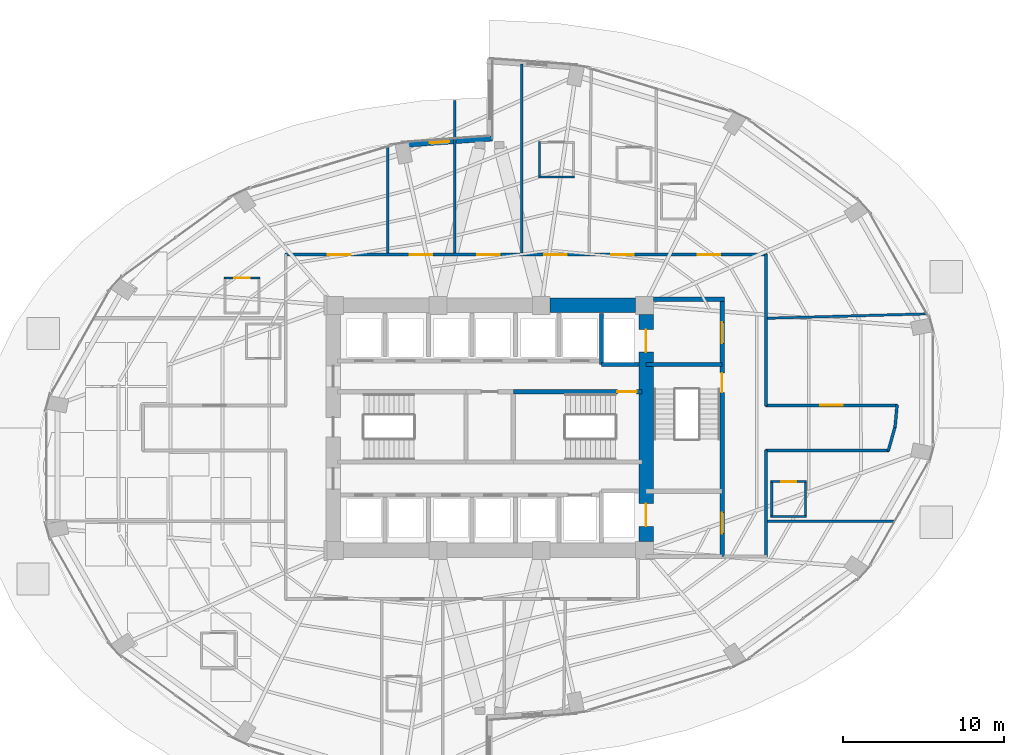
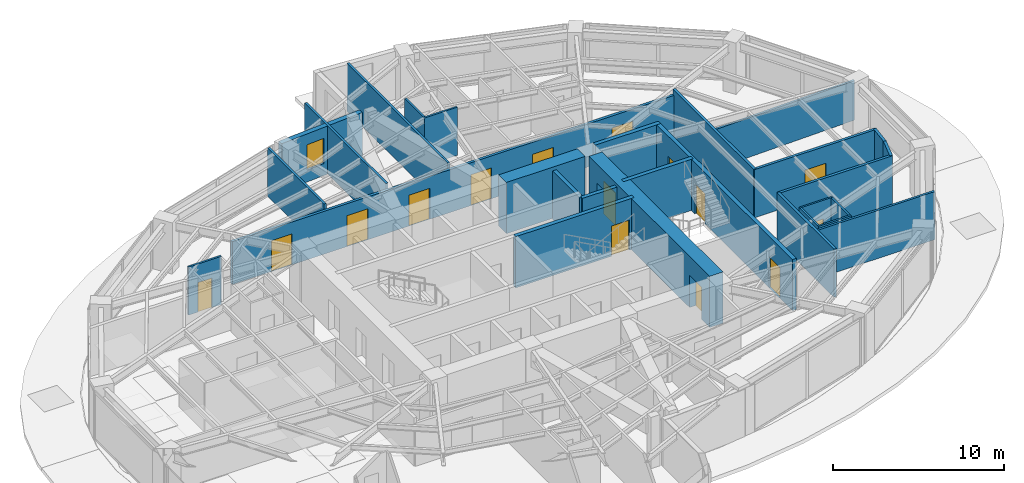
# One storey, part 22 of 25: 28 walls, 15 doors, 1 window, 16 openings.
"""IFC4 building model written with IfcOpenShell, lengths in metres."""

from ifc_helpers import new_model, si_unit, direction, frame, frame_2d, origin, place, context, subcontext, project, spatial, rectangle, extrude, material, layer, layer_set, type_object, element, fill, save


model = new_model("IFC4")

# Units and contexts
model_context = context("Model", 3, precision=1e-05, world=origin(), true_north=direction((0.0, 1.0)))
body_context = subcontext(model_context, "Body", "Model", "MODEL_VIEW")
ifc_project = project(units=[si_unit("LENGTHUNIT", "METRE"), si_unit("AREAUNIT", "SQUARE_METRE"), si_unit("VOLUMEUNIT", "CUBIC_METRE"), si_unit("PLANEANGLEUNIT", "RADIAN"), si_unit("MASSUNIT", "GRAM", prefix="KILO")], contexts=[model_context])

# Site, building, storey
site_placement = place(None, origin())
site = spatial("IfcSite", under=ifc_project, at=site_placement, CompositionType="ELEMENT")
building_placement = place(site_placement, origin())
building = spatial("IfcBuilding", under=site, at=building_placement, Name="Lazwardi Medical Tower", CompositionType="ELEMENT")
storey_placement = place(building_placement, frame((0.0, 0.0, 25.199951171875)))
storey = spatial("IfcBuildingStorey", under=building, at=storey_placement, Name="L05", CompositionType="ELEMENT", Elevation=25.199951171875)

# Wall, openings, doors
ifc_material_1 = material(Name="Fire-rated gypsum board on steel stud", Category="steel")
ifc_layer_1 = layer(ifc_material_1, 0.179931640625)
ifc_layer_set_1 = layer_set([ifc_layer_1], Name="Fire-rated gypsum board on steel stud")
wall_type_1 = type_object("IfcWallType", Name="WL-COR-180", PredefinedType="PARTITIONING", material=ifc_layer_set_1)
wall_1_placement = place(storey_placement, frame((23.31005859375, 38.75, 0.0), z_axis=(0.0, 0.0, 1.0), x_axis=(1.0, 0.0, 0.0)))
wall_1 = element("IfcWall", 1, at=wall_1_placement, inside=storey, type_object=wall_type_1, Name="L05 Corridor partition 4", PredefinedType="PARTITIONING", context=body_context, shape_type="SweptSolid", body=[
    extrude(rectangle(XDim=29.8798828125, YDim=0.179931640625, at=frame_2d((14.93994140625, 0.0))), origin(), (0.0, 0.0, 1.0), 3.052978515625),
])
opening_1_placement = place(wall_1_placement, frame((25.591064453125, 0.0, 0.0)))
opening_1 = element("IfcOpeningElement", 2, at=opening_1_placement, cuts=wall_1, Name="Opening D-L05-020", PredefinedType="OPENING", context=body_context, shape_type="SweptSolid", body=[
    extrude(rectangle(XDim=1.39990234375, YDim=2.199951171875, at=frame_2d((0.699951171875, 1.10009765625))), frame((0.0, 0.099853515625, 0.0), z_axis=(0.0, -1.0, 0.0), x_axis=(1.0, 0.0, 0.0)), (0.0, 0.0, 1.0), 0.199951171875),
])
opening_2_placement = place(wall_1_placement, frame((20.240478515625, 0.0, 0.0)))
opening_2 = element("IfcOpeningElement", 3, at=opening_2_placement, cuts=wall_1, Name="Opening D-L05-021", PredefinedType="OPENING", context=body_context, shape_type="SweptSolid", body=[
    extrude(rectangle(XDim=1.39990234375, YDim=2.199951171875, at=frame_2d((0.699951171875, 1.10009765625))), frame((0.0, 0.099853515625, 0.0), z_axis=(0.0, -1.0, 0.0), x_axis=(1.0, 0.0, 0.0)), (0.0, 0.0, 1.0), 0.199951171875),
])
opening_3_placement = place(wall_1_placement, frame((16.075439453125, 0.0, 0.0)))
opening_3 = element("IfcOpeningElement", 4, at=opening_3_placement, cuts=wall_1, Name="Opening D-L05-022", PredefinedType="OPENING", context=body_context, shape_type="SweptSolid", body=[
    extrude(rectangle(XDim=1.39990234375, YDim=2.199951171875, at=frame_2d((0.699951171875, 1.10009765625))), frame((0.0, 0.099853515625, 0.0), z_axis=(0.0, -1.0, 0.0), x_axis=(1.0, 0.0, 0.0)), (0.0, 0.0, 1.0), 0.199951171875),
])
opening_4_placement = place(wall_1_placement, frame((11.905029296875, 0.0, 0.0)))
opening_4 = element("IfcOpeningElement", 5, at=opening_4_placement, cuts=wall_1, Name="Opening D-L05-023", PredefinedType="OPENING", context=body_context, shape_type="SweptSolid", body=[
    extrude(rectangle(XDim=1.39990234375, YDim=2.199951171875, at=frame_2d((0.699951171875, 1.10009765625))), frame((0.0, 0.099853515625, 0.0), z_axis=(0.0, -1.0, 0.0), x_axis=(1.0, 0.0, 0.0)), (0.0, 0.0, 1.0), 0.199951171875),
])
opening_5_placement = place(wall_1_placement, frame((7.739990234375, 0.0, 0.0)))
opening_5 = element("IfcOpeningElement", 6, at=opening_5_placement, cuts=wall_1, Name="Opening D-L05-024", PredefinedType="OPENING", context=body_context, shape_type="SweptSolid", body=[
    extrude(rectangle(XDim=1.39990234375, YDim=2.199951171875, at=frame_2d((0.699951171875, 1.10009765625))), frame((0.0, 0.099853515625, 0.0), z_axis=(0.0, -1.0, 0.0), x_axis=(1.0, 0.0, 0.0)), (0.0, 0.0, 1.0), 0.199951171875),
])
opening_6_placement = place(wall_1_placement, frame((2.638916015625, 0.0, 0.0)))
opening_6 = element("IfcOpeningElement", 7, at=opening_6_placement, cuts=wall_1, Name="Opening D-L05-025", PredefinedType="OPENING", context=body_context, shape_type="SweptSolid", body=[
    extrude(rectangle(XDim=1.39990234375, YDim=2.199951171875, at=frame_2d((0.699951171875, 1.10009765625))), frame((0.0, 0.099853515625, 0.0), z_axis=(0.0, -1.0, 0.0), x_axis=(1.0, 0.0, 0.0)), (0.0, 0.0, 1.0), 0.199951171875),
])
ifc_material_2 = material(Name="Anti-microbial laminate hospital leaf")
door_type_1 = type_object("IfcDoorType", Name="DR-BED-1400", OperationType="NOTDEFINED", PredefinedType="DOOR", material=ifc_material_2)
door_1_placement = place(opening_1_placement, origin())
door_1 = element("IfcDoor", 8, at=door_1_placement, inside=storey, type_object=door_type_1, Name="L05 Inpatient Ward Door 07", OperationType="SINGLE_SWING_LEFT", OverallHeight=2.199951171875, OverallWidth=1.39990234375, PredefinedType="DOOR", context=body_context, shape_type="SweptSolid", body=[
    extrude(rectangle(XDim=1.39990234375, YDim=2.199951171875, at=frame_2d((0.699951171875, 1.10009765625))), frame((0.0, 0.02490234375, 0.0), z_axis=(0.0, -1.0, 0.0), x_axis=(1.0, 0.0, 0.0)), (0.0, 0.0, 1.0), 0.050048828125),
])
fill(opening_1, door_1)
door_2_placement = place(opening_2_placement, origin())
door_2 = element("IfcDoor", 9, at=door_2_placement, inside=storey, type_object=door_type_1, Name="L05 Inpatient Ward Door 08", OperationType="SINGLE_SWING_LEFT", OverallHeight=2.199951171875, OverallWidth=1.39990234375, PredefinedType="DOOR", context=body_context, shape_type="SweptSolid", body=[
    extrude(rectangle(XDim=1.39990234375, YDim=2.199951171875, at=frame_2d((0.699951171875, 1.10009765625))), frame((0.0, 0.02490234375, 0.0), z_axis=(0.0, -1.0, 0.0), x_axis=(1.0, 0.0, 0.0)), (0.0, 0.0, 1.0), 0.050048828125),
])
fill(opening_2, door_2)
door_3_placement = place(opening_3_placement, origin())
door_3 = element("IfcDoor", 10, at=door_3_placement, inside=storey, type_object=door_type_1, Name="L05 Inpatient Ward Door 09", OperationType="SINGLE_SWING_LEFT", OverallHeight=2.199951171875, OverallWidth=1.39990234375, PredefinedType="DOOR", context=body_context, shape_type="SweptSolid", body=[
    extrude(rectangle(XDim=1.39990234375, YDim=2.199951171875, at=frame_2d((0.699951171875, 1.10009765625))), frame((0.0, 0.02490234375, 0.0), z_axis=(0.0, -1.0, 0.0), x_axis=(1.0, 0.0, 0.0)), (0.0, 0.0, 1.0), 0.050048828125),
])
fill(opening_3, door_3)
door_4_placement = place(opening_4_placement, origin())
door_4 = element("IfcDoor", 11, at=door_4_placement, inside=storey, type_object=door_type_1, Name="L05 Inpatient Ward Door 10", OperationType="SINGLE_SWING_RIGHT", OverallHeight=2.199951171875, OverallWidth=1.39990234375, PredefinedType="DOOR", context=body_context, shape_type="SweptSolid", body=[
    extrude(rectangle(XDim=1.39990234375, YDim=2.199951171875, at=frame_2d((0.699951171875, 1.10009765625))), frame((0.0, 0.02490234375, 0.0), z_axis=(0.0, -1.0, 0.0), x_axis=(1.0, 0.0, 0.0)), (0.0, 0.0, 1.0), 0.050048828125),
])
fill(opening_4, door_4)
door_5_placement = place(opening_5_placement, origin())
door_5 = element("IfcDoor", 12, at=door_5_placement, inside=storey, type_object=door_type_1, Name="L05 Inpatient Ward Door 11", OperationType="SINGLE_SWING_LEFT", OverallHeight=2.199951171875, OverallWidth=1.39990234375, PredefinedType="DOOR", context=body_context, shape_type="SweptSolid", body=[
    extrude(rectangle(XDim=1.39990234375, YDim=2.199951171875, at=frame_2d((0.699951171875, 1.10009765625))), frame((0.0, 0.02490234375, 0.0), z_axis=(0.0, -1.0, 0.0), x_axis=(1.0, 0.0, 0.0)), (0.0, 0.0, 1.0), 0.050048828125),
])
fill(opening_5, door_5)
door_6_placement = place(opening_6_placement, origin())
door_6 = element("IfcDoor", 13, at=door_6_placement, inside=storey, type_object=door_type_1, Name="L05 Inpatient Ward Door 12", OperationType="SINGLE_SWING_LEFT", OverallHeight=2.199951171875, OverallWidth=1.39990234375, PredefinedType="DOOR", context=body_context, shape_type="SweptSolid", body=[
    extrude(rectangle(XDim=1.39990234375, YDim=2.199951171875, at=frame_2d((0.699951171875, 1.10009765625))), frame((0.0, 0.02490234375, 0.0), z_axis=(0.0, -1.0, 0.0), x_axis=(1.0, 0.0, 0.0)), (0.0, 0.0, 1.0), 0.050048828125),
])
fill(opening_6, door_6)

# Wall
wall_2_placement = place(storey_placement, frame((53.14990234375, 38.7900390625, 0.0), z_axis=(0.0, 0.0, 1.0), x_axis=(0.0, -1.0, 0.0)))
element("IfcWall", 14, at=wall_2_placement, inside=storey, type_object=wall_type_1, Name="L05 Corridor partition 5", PredefinedType="PARTITIONING", context=body_context, shape_type="SweptSolid", body=[
    extrude(rectangle(XDim=9.429931640625, YDim=0.179931640625, at=frame_2d((4.71484375, 0.0))), origin(), (0.0, 0.0, 1.0), 3.427978515625),
])

# Wall, opening, door
wall_3_placement = place(storey_placement, frame((53.110107421875, 29.39990234375, 0.0), z_axis=(0.0, 0.0, 1.0), x_axis=(1.0, 0.0, 0.0)))
wall_3 = element("IfcWall", 15, at=wall_3_placement, inside=storey, type_object=wall_type_1, Name="L05 Corridor partition 6", PredefinedType="PARTITIONING", context=body_context, shape_type="SweptSolid", body=[
    extrude(rectangle(XDim=8.19677734375, YDim=0.179931640625, at=frame_2d((4.098388671875, 0.0))), origin(), (0.0, 0.0, 1.0), 3.427978515625),
])
opening_7_placement = place(wall_3_placement, frame((3.3984375, 0.0, 0.0)))
opening_7 = element("IfcOpeningElement", 16, at=opening_7_placement, cuts=wall_3, Name="Opening D-L05-019", PredefinedType="OPENING", context=body_context, shape_type="SweptSolid", body=[
    extrude(rectangle(XDim=1.39990234375, YDim=2.199951171875, at=frame_2d((0.699951171875, 1.10009765625))), frame((0.0, 0.099853515625, 0.0), z_axis=(0.0, -1.0, 0.0), x_axis=(1.0, 0.0, 0.0)), (0.0, 0.0, 1.0), 0.199951171875),
])
door_7_placement = place(opening_7_placement, origin())
door_7 = element("IfcDoor", 17, at=door_7_placement, inside=storey, type_object=door_type_1, Name="L05 Inpatient Ward Door 06", OperationType="SINGLE_SWING_LEFT", OverallHeight=2.199951171875, OverallWidth=1.39990234375, PredefinedType="DOOR", context=body_context, shape_type="SweptSolid", body=[
    extrude(rectangle(XDim=1.39990234375, YDim=2.199951171875, at=frame_2d((0.699951171875, 1.10009765625))), frame((0.0, 0.02490234375, 0.0), z_axis=(0.0, -1.0, 0.0), x_axis=(1.0, 0.0, 0.0)), (0.0, 0.0, 1.0), 0.050048828125),
])
fill(opening_7, door_7)

# Walls
wall_4_placement = place(storey_placement, frame((61.2705078125, 29.439697265625, 0.0), z_axis=(0.0, 0.0, 1.0), x_axis=(-0.092539930621, -0.995708974169, 0.0)))
element("IfcWall", 18, at=wall_4_placement, inside=storey, type_object=wall_type_1, Name="L05 Corridor partition 7", PredefinedType="PARTITIONING", context=body_context, shape_type="SweptSolid", body=[
    extrude(rectangle(XDim=1.416748046875, YDim=0.179931640625, at=frame_2d((0.70849609375, 0.0))), origin(), (0.0, 0.0, 1.0), 3.427978515625),
])
wall_5_placement = place(storey_placement, frame((61.15380859375, 28.107421875, 0.0), z_axis=(0.0, 0.0, 1.0), x_axis=(-0.271748942561, -0.962368179138, 0.0)))
element("IfcWall", 19, at=wall_5_placement, inside=storey, type_object=wall_type_1, Name="L05 Corridor partition 8", PredefinedType="PARTITIONING", context=body_context, shape_type="SweptSolid", body=[
    extrude(rectangle(XDim=1.6064453125, YDim=0.179931640625, at=frame_2d((0.80322265625, 0.0))), origin(), (0.0, 0.0, 1.0), 3.427978515625),
])
wall_6_placement = place(storey_placement, frame((60.768310546875, 26.60009765625, 0.0), z_axis=(0.0, 0.0, 1.0), x_axis=(-1.0, 0.0, 0.0)))
element("IfcWall", 20, at=wall_6_placement, inside=storey, type_object=wall_type_1, Name="L05 Corridor partition 9", PredefinedType="PARTITIONING", context=body_context, shape_type="SweptSolid", body=[
    extrude(rectangle(XDim=7.658203125, YDim=0.179931640625, at=frame_2d((3.8291015625, 0.0))), origin(), (0.0, 0.0, 1.0), 3.427978515625),
])
wall_7_placement = place(storey_placement, frame((53.14990234375, 26.639892578125, 0.0), z_axis=(0.0, 0.0, 1.0), x_axis=(0.0, -1.0, 0.0)))
element("IfcWall", 21, at=wall_7_placement, inside=storey, type_object=wall_type_1, Name="L05 Corridor partition 10", PredefinedType="PARTITIONING", context=body_context, shape_type="SweptSolid", body=[
    extrude(rectangle(XDim=6.659912109375, YDim=0.179931640625, at=frame_2d((3.330078125, 0.0))), origin(), (0.0, 0.0, 1.0), 3.427978515625),
])

# Wall, openings, doors
ifc_material_3 = material(Name="Concrete C80/95", Category="concrete")
ifc_layer_2 = layer(ifc_material_3, 0.89990234375)
ifc_layer_set_2 = layer_set([ifc_layer_2], Name="Concrete C80/95")
wall_type_2 = type_object("IfcWallType", Name="WL-CORE-900", PredefinedType="SHEAR", material=ifc_layer_set_2)
wall_8_placement = place(storey_placement, frame((45.699951171875, 20.949951171875, 0.0), z_axis=(0.0, 0.0, 1.0), x_axis=(0.0, 1.0, 0.0)))
wall_8 = element("IfcWall", 22, at=wall_8_placement, inside=storey, type_object=wall_type_2, Name="Core wall CW-S1 east L05", PredefinedType="SHEAR", context=body_context, shape_type="SweptSolid", body=[
    extrude(rectangle(XDim=14.10009765625, YDim=0.89990234375, at=frame_2d((7.050048828125, 0.0))), origin(), (0.0, 0.0, 1.0), 3.64794921875),
])
opening_8_placement = place(wall_8_placement, frame((11.75, 0.0, 0.0)))
opening_8 = element("IfcOpeningElement", 23, at=opening_8_placement, cuts=wall_8, Name="Opening LD-L05-001", PredefinedType="OPENING", context=body_context, shape_type="SweptSolid", body=[
    extrude(rectangle(XDim=1.39990234375, YDim=2.300048828125, at=frame_2d((0.699951171875, 1.14990234375))), frame((0.0, 0.4599609375, 0.0), z_axis=(0.0, -1.0, 0.0), x_axis=(1.0, 0.0, 0.0)), (0.0, 0.0, 1.0), 0.919921875),
])
opening_9_placement = place(wall_8_placement, frame((0.949951171875, 0.0, 0.0)))
opening_9 = element("IfcOpeningElement", 24, at=opening_9_placement, cuts=wall_8, Name="Opening LD-L05-002", PredefinedType="OPENING", context=body_context, shape_type="SweptSolid", body=[
    extrude(rectangle(XDim=1.39990234375, YDim=2.300048828125, at=frame_2d((0.699951171875, 1.14990234375))), frame((0.0, 0.4599609375, 0.0), z_axis=(0.0, -1.0, 0.0), x_axis=(1.0, 0.0, 0.0)), (0.0, 0.0, 1.0), 0.919921875),
])
ifc_material_4 = material(Name="Brushed stainless steel bed-lift landing door", Category="steel")
door_type_2 = type_object("IfcDoorType", Name="DR-LFT-1400", OperationType="NOTDEFINED", PredefinedType="DOOR", material=ifc_material_4)
door_8_placement = place(opening_8_placement, origin())
door_8 = element("IfcDoor", 25, at=door_8_placement, inside=storey, type_object=door_type_2, Name="L05 Lift Landing Door FL-01", OperationType="SLIDING_TO_LEFT", OverallHeight=2.300048828125, OverallWidth=1.39990234375, PredefinedType="DOOR", context=body_context, shape_type="SweptSolid", body=[
    extrude(rectangle(XDim=1.39990234375, YDim=2.300048828125, at=frame_2d((0.699951171875, 1.14990234375))), frame((0.0, 0.02490234375, 0.0), z_axis=(0.0, -1.0, 0.0), x_axis=(1.0, 0.0, 0.0)), (0.0, 0.0, 1.0), 0.050048828125),
])
fill(opening_8, door_8)
door_9_placement = place(opening_9_placement, origin())
door_9 = element("IfcDoor", 26, at=door_9_placement, inside=storey, type_object=door_type_2, Name="L05 Lift Landing Door FL-02", OperationType="SLIDING_TO_LEFT", OverallHeight=2.300048828125, OverallWidth=1.39990234375, PredefinedType="DOOR", context=body_context, shape_type="SweptSolid", body=[
    extrude(rectangle(XDim=1.39990234375, YDim=2.300048828125, at=frame_2d((0.699951171875, 1.14990234375))), frame((0.0, 0.02490234375, 0.0), z_axis=(0.0, -1.0, 0.0), x_axis=(1.0, 0.0, 0.0)), (0.0, 0.0, 1.0), 0.050048828125),
])
fill(opening_9, door_9)

# Wall
wall_9_placement = place(storey_placement, frame((39.75, 35.60009765625, 0.0), z_axis=(0.0, 0.0, 1.0), x_axis=(1.0, 0.0, 0.0)))
element("IfcWall", 27, at=wall_9_placement, inside=storey, type_object=wall_type_2, Name="Core wall CW-S1 N3 L05", PredefinedType="SHEAR", context=body_context, shape_type="SweptSolid", body=[
    extrude(rectangle(XDim=5.300048828125, YDim=0.89990234375, at=frame_2d((2.64990234375, 0.0))), origin(), (0.0, 0.0, 1.0), 3.64794921875),
])

# Wall, opening, door
ifc_material_5 = material(Name="Moisture-resistant gypsum board partition")
ifc_layer_3 = layer(ifc_material_5, 0.125)
ifc_layer_set_3 = layer_set([ifc_layer_3], Name="Moisture-resistant gypsum board partition")
wall_type_3 = type_object("IfcWallType", Name="WL-ENS-125", PredefinedType="PARTITIONING", material=ifc_layer_set_3)
wall_10_placement = place(storey_placement, frame((53.43505859375, 24.6650390625, 0.0), z_axis=(0.0, 0.0, 1.0), x_axis=(1.0, 0.0, 0.0)))
wall_10 = element("IfcWall", 28, at=wall_10_placement, inside=storey, type_object=wall_type_3, Name="L05 En-suite wall 6N", PredefinedType="PARTITIONING", context=body_context, shape_type="SweptSolid", body=[
    extrude(rectangle(XDim=2.219970703125, YDim=0.125, at=frame_2d((1.10986328125, 0.0))), origin(), (0.0, 0.0, 1.0), 3.427978515625),
])
opening_10_placement = place(wall_10_placement, frame((0.635009765625, 0.0, 0.0)))
opening_10 = element("IfcOpeningElement", 29, at=opening_10_placement, cuts=wall_10, Name="Opening D-L05-004", PredefinedType="OPENING", context=body_context, shape_type="SweptSolid", body=[
    extrude(rectangle(XDim=0.949951171875, YDim=2.10009765625, at=frame_2d((0.47509765625, 1.050048828125))), frame((0.0, 0.072509765625, 0.0), z_axis=(0.0, -1.0, 0.0), x_axis=(1.0, 0.0, 0.0)), (0.0, 0.0, 1.0), 0.14501953125),
])
ifc_material_6 = material(Name="Moisture-resistant laminate door leaf")
door_type_3 = type_object("IfcDoorType", Name="DR-ENS-950", OperationType="NOTDEFINED", PredefinedType="DOOR", material=ifc_material_6)
door_10_placement = place(opening_10_placement, origin())
door_10 = element("IfcDoor", 30, at=door_10_placement, inside=storey, type_object=door_type_3, Name="L05 En-suite Door 06", OperationType="SINGLE_SWING_RIGHT", OverallHeight=2.10009765625, OverallWidth=0.949951171875, PredefinedType="DOOR", context=body_context, shape_type="SweptSolid", body=[
    extrude(rectangle(XDim=0.949951171875, YDim=2.10009765625, at=frame_2d((0.47509765625, 1.050048828125))), frame((0.0, 0.02490234375, 0.0), z_axis=(0.0, -1.0, 0.0), x_axis=(1.0, 0.0, 0.0)), (0.0, 0.0, 1.0), 0.050048828125),
])
fill(opening_10, door_10)

# Walls
wall_11_placement = place(storey_placement, frame((53.43505859375, 22.5048828125, 0.0), z_axis=(0.0, 0.0, 1.0), x_axis=(1.0, 0.0, 0.0)))
element("IfcWall", 31, at=wall_11_placement, inside=storey, type_object=wall_type_3, Name="L05 En-suite wall 6S", PredefinedType="PARTITIONING", context=body_context, shape_type="SweptSolid", body=[
    extrude(rectangle(XDim=2.219970703125, YDim=0.125, at=frame_2d((1.10986328125, 0.0))), origin(), (0.0, 0.0, 1.0), 3.427978515625),
])
for number, where, z_axis, x_axis, name in (
    (32, (55.594970703125, 22.445068359375, 0.0), (0.0, 0.0, 1.0), (0.0, 1.0, 0.0), "L05 En-suite wall 6E"),
    (33, (53.4951171875, 22.445068359375, 0.0), (0.0, 0.0, 1.0), (0.0, 1.0, 0.0), "L05 En-suite wall 6W"),
):
    element("IfcWall", number, at=place(storey_placement, frame(where, z_axis=z_axis, x_axis=x_axis)), inside=storey, type_object=wall_type_3, Name=name, PredefinedType="PARTITIONING", context=body_context, shape_type="SweptSolid", body=[
        extrude(rectangle(XDim=2.280029296875, YDim=0.125, at=frame_2d((1.14013671875, 0.0))), origin(), (0.0, 0.0, 1.0), 3.427978515625),
    ])
wall_12_placement = place(storey_placement, frame((39.035888671875, 43.551025390625, 0.0), z_axis=(0.0, 0.0, 1.0), x_axis=(1.0, 0.0, 0.0)))
element("IfcWall", 34, at=wall_12_placement, inside=storey, type_object=wall_type_3, Name="L05 En-suite wall 9S", PredefinedType="PARTITIONING", context=body_context, shape_type="SweptSolid", body=[
    extrude(rectangle(XDim=2.219970703125, YDim=0.125, at=frame_2d((1.10986328125, 0.0))), origin(), (0.0, 0.0, 1.0), 3.427978515625),
])
wall_13_placement = place(storey_placement, frame((39.095703125, 43.490966796875, 0.0), z_axis=(0.0, 0.0, 1.0), x_axis=(0.0, 1.0, 0.0)))
element("IfcWall", 35, at=wall_13_placement, inside=storey, type_object=wall_type_3, Name="L05 En-suite wall 9W", PredefinedType="PARTITIONING", context=body_context, shape_type="SweptSolid", body=[
    extrude(rectangle(XDim=2.280029296875, YDim=0.125, at=frame_2d((1.14013671875, 0.0))), origin(), (0.0, 0.0, 1.0), 3.427978515625),
])

# Wall, opening, door
wall_14_placement = place(storey_placement, frame((19.53759765625, 37.300048828125, 0.0), z_axis=(0.0, 0.0, 1.0), x_axis=(1.0, 0.0, 0.0)))
wall_14 = element("IfcWall", 36, at=wall_14_placement, inside=storey, type_object=wall_type_3, Name="L05 En-suite wall 12N", PredefinedType="PARTITIONING", context=body_context, shape_type="SweptSolid", body=[
    extrude(rectangle(XDim=2.219970703125, YDim=0.125, at=frame_2d((1.10986328125, 0.0))), origin(), (0.0, 0.0, 1.0), 3.427978515625),
])
opening_11_placement = place(wall_14_placement, frame((0.635009765625, 0.0, 0.0)))
opening_11 = element("IfcOpeningElement", 37, at=opening_11_placement, cuts=wall_14, Name="Opening D-L05-008", PredefinedType="OPENING", context=body_context, shape_type="SweptSolid", body=[
    extrude(rectangle(XDim=0.949951171875, YDim=2.10009765625, at=frame_2d((0.47509765625, 1.050048828125))), frame((0.0, 0.072509765625, 0.0), z_axis=(0.0, -1.0, 0.0), x_axis=(1.0, 0.0, 0.0)), (0.0, 0.0, 1.0), 0.14501953125),
])
door_11_placement = place(opening_11_placement, origin())
door_11 = element("IfcDoor", 38, at=door_11_placement, inside=storey, type_object=door_type_3, Name="L05 En-suite Door 12", OperationType="SINGLE_SWING_RIGHT", OverallHeight=2.10009765625, OverallWidth=0.949951171875, PredefinedType="DOOR", context=body_context, shape_type="SweptSolid", body=[
    extrude(rectangle(XDim=0.949951171875, YDim=2.10009765625, at=frame_2d((0.47509765625, 1.050048828125))), frame((0.0, 0.02490234375, 0.0), z_axis=(0.0, -1.0, 0.0), x_axis=(1.0, 0.0, 0.0)), (0.0, 0.0, 1.0), 0.050048828125),
])
fill(opening_11, door_11)

# Wall, opening, window
ifc_material_7 = material(Name="Precast concrete C45/55", Category="concrete")
ifc_layer_4 = layer(ifc_material_7, 0.320068359375)
ifc_layer_set_4 = layer_set([ifc_layer_4], Name="Precast concrete C45/55")
wall_type_4 = type_object("IfcWallType", Name="WL-IWAN-320", PredefinedType="SOLIDWALL", material=ifc_layer_set_4)
wall_15_placement = place(storey_placement, frame((36.178955078125, 45.952880859375, 0.0), z_axis=(0.0, 0.0, 1.0), x_axis=(-0.997421878774, -0.071760683825, 0.0)))
wall_15 = element("IfcWall", 39, at=wall_15_placement, inside=storey, type_object=wall_type_4, Name="L05 Iwan Portal Return Wall NW_ret", PredefinedType="SOLIDWALL", context=body_context, shape_type="SweptSolid", body=[
    extrude(rectangle(XDim=5.6748046875, YDim=0.320068359375, at=frame_2d((2.83740234375, 0.0))), origin(), (0.0, 0.0, 1.0), 3.427978515625),
])
opening_12_placement = place(wall_15_placement, frame((2.6962890625, 0.0, 0.85009765625)))
opening_12 = element("IfcOpeningElement", 40, at=opening_12_placement, cuts=wall_15, Name="Opening WN-04", PredefinedType="OPENING", context=body_context, shape_type="SweptSolid", body=[
    extrude(rectangle(XDim=1.199951171875, YDim=1.800048828125, at=frame_2d((0.60009765625, 0.89990234375))), frame((0.0, 0.169921875, 0.0), z_axis=(0.0, -1.0, 0.0), x_axis=(1.0, 0.0, 0.0)), (0.0, 0.0, 1.0), 0.340087890625),
])
ifc_material_8 = material(Name="Low-e bronze solar control double glazing", Category="glass")
window_type = type_object("IfcWindowType", Name="WIN-DRUM-1200", PartitioningType="SINGLE_PANEL", PredefinedType="WINDOW", material=ifc_material_8)
window_placement = place(opening_12_placement, origin())
window = element("IfcWindow", 41, at=window_placement, inside=storey, type_object=window_type, Name="L05 Iwan Slot Window NW_ret", OverallHeight=1.800048828125, OverallWidth=1.199951171875, PartitioningType="SINGLE_PANEL", PredefinedType="WINDOW", context=body_context, shape_type="SweptSolid", body=[
    extrude(rectangle(XDim=1.199951171875, YDim=1.800048828125, at=frame_2d((0.60009765625, 0.89990234375))), frame((0.0, 0.030029296875, 0.0), z_axis=(0.0, -1.0, 0.0), x_axis=(1.0, 0.0, 0.0)), (0.0, 0.0, 1.0), 0.06005859375),
])
fill(opening_12, window)

# Walls
ifc_material_9 = material(Name="Autoclaved aerated concrete blockwork", Category="masonry")
ifc_layer_5 = layer(ifc_material_9, 0.25)
ifc_layer_set_5 = layer_set([ifc_layer_5], Name="Autoclaved aerated concrete blockwork")
wall_type_5 = type_object("IfcWallType", Name="WL-SHAFT-250", PredefinedType="SOLIDWALL", material=ifc_layer_set_5)
wall_16_placement = place(storey_placement, frame((42.949951171875, 31.919921875, 0.0), z_axis=(0.0, 0.0, 1.0), x_axis=(0.0, 1.0, 0.0)))
element("IfcWall", 42, at=wall_16_placement, inside=storey, type_object=wall_type_5, Name="L05 FL-01 West shaft wall", PredefinedType="SOLIDWALL", context=body_context, shape_type="SweptSolid", body=[
    extrude(rectangle(XDim=3.18017578125, YDim=0.25, at=frame_2d((1.590087890625, 0.0))), origin(), (0.0, 0.0, 1.0), 3.427978515625),
])
wall_17_placement = place(storey_placement, frame((42.949951171875, 31.919921875, 0.0), z_axis=(0.0, 0.0, 1.0), x_axis=(1.0, 0.0, 0.0)))
element("IfcWall", 43, at=wall_17_placement, inside=storey, type_object=wall_type_5, Name="L05 FL-01 South shaft wall", PredefinedType="SOLIDWALL", context=body_context, shape_type="SweptSolid", body=[
    extrude(rectangle(XDim=2.300048828125, YDim=0.25, at=frame_2d((1.14990234375, 0.0))), origin(), (0.0, 0.0, 1.0), 3.427978515625),
])

# Wall, opening, door
ifc_material_10 = material(Name="Concrete C50/60", Category="concrete")
ifc_layer_6 = layer(ifc_material_10, 0.27001953125)
ifc_layer_set_6 = layer_set([ifc_layer_6], Name="Concrete C50/60")
wall_type_6 = type_object("IfcWallType", Name="WL-STR-250", PredefinedType="SHEAR", material=ifc_layer_set_6)
wall_18_placement = place(storey_placement, frame((37.465087890625, 30.235107421875, 0.0), z_axis=(0.0, 0.0, 1.0), x_axis=(1.0, 0.0, 0.0)))
wall_18 = element("IfcWall", 44, at=wall_18_placement, inside=storey, type_object=wall_type_6, Name="L05 ST2 North shear shaft wall SW-S1", PredefinedType="SHEAR", context=body_context, shape_type="SweptSolid", body=[
    extrude(rectangle(XDim=7.98486328125, YDim=0.27001953125, at=frame_2d((3.992431640625, 0.0))), origin(), (0.0, 0.0, 1.0), 3.64794921875),
])
opening_13_placement = place(wall_18_placement, frame((6.455078125, 0.0, 0.0)))
opening_13 = element("IfcOpeningElement", 45, at=opening_13_placement, cuts=wall_18, Name="Opening D-L05-028", PredefinedType="OPENING", context=body_context, shape_type="SweptSolid", body=[
    extrude(rectangle(XDim=1.199951171875, YDim=2.14990234375, at=frame_2d((0.60009765625, 1.074951171875))), frame((0.0, 0.14501953125, 0.0), z_axis=(0.0, -1.0, 0.0), x_axis=(1.0, 0.0, 0.0)), (0.0, 0.0, 1.0), 0.2900390625),
])
ifc_material_11 = material(Name="Fire-rated steel leaf and frame", Category="steel")
door_type_4 = type_object("IfcDoorType", Name="DR-STR-1200", OperationType="NOTDEFINED", PredefinedType="DOOR", material=ifc_material_11)
door_12_placement = place(opening_13_placement, origin())
door_12 = element("IfcDoor", 46, at=door_12_placement, inside=storey, type_object=door_type_4, Name="L05 Exit Stair ST2 Door", OperationType="SINGLE_SWING_RIGHT", OverallHeight=2.14990234375, OverallWidth=1.199951171875, PredefinedType="DOOR", context=body_context, shape_type="SweptSolid", body=[
    extrude(rectangle(XDim=1.199951171875, YDim=2.14990234375, at=frame_2d((0.60009765625, 1.074951171875))), frame((0.0, 0.02490234375, 0.0), z_axis=(0.0, -1.0, 0.0), x_axis=(1.0, 0.0, 0.0)), (0.0, 0.0, 1.0), 0.050048828125),
])
fill(opening_13, door_12)

# Wall, openings, doors
wall_19_placement = place(storey_placement, frame((50.4150390625, 35.844970703125, 0.0), z_axis=(0.0, 0.0, 1.0), x_axis=(0.0, -1.0, 0.0)))
wall_19 = element("IfcWall", 47, at=wall_19_placement, inside=storey, type_object=wall_type_6, Name="L05 East ST3 & FFL shear wall SW-S1", PredefinedType="SHEAR", context=body_context, shape_type="SweptSolid", body=[
    extrude(rectangle(XDim=15.824951171875, YDim=0.27001953125, at=frame_2d((7.91259765625, 0.0))), origin(), (0.0, 0.0, 1.0), 3.64794921875),
])
opening_14_placement = place(wall_19_placement, frame((4.445068359375, 0.0, 0.0)))
opening_14 = element("IfcOpeningElement", 48, at=opening_14_placement, cuts=wall_19, Name="Opening D-L05-029", PredefinedType="OPENING", context=body_context, shape_type="SweptSolid", body=[
    extrude(rectangle(XDim=1.199951171875, YDim=2.14990234375, at=frame_2d((0.60009765625, 1.074951171875))), frame((0.0, 0.14501953125, 0.0), z_axis=(0.0, -1.0, 0.0), x_axis=(1.0, 0.0, 0.0)), (0.0, 0.0, 1.0), 0.2900390625),
])
opening_15_placement = place(wall_19_placement, frame((1.294921875, 0.0, 0.0)))
opening_15 = element("IfcOpeningElement", 49, at=opening_15_placement, cuts=wall_19, Name="Opening D-L05-010", PredefinedType="OPENING", context=body_context, shape_type="SweptSolid", body=[
    extrude(rectangle(XDim=1.300048828125, YDim=2.199951171875, at=frame_2d((0.64990234375, 1.10009765625))), frame((0.0, 0.14501953125, 0.0), z_axis=(0.0, -1.0, 0.0), x_axis=(1.0, 0.0, 0.0)), (0.0, 0.0, 1.0), 0.2900390625),
])
opening_16_placement = place(wall_19_placement, frame((13.094970703125, 0.0, 0.0)))
opening_16 = element("IfcOpeningElement", 50, at=opening_16_placement, cuts=wall_19, Name="Opening D-L05-011", PredefinedType="OPENING", context=body_context, shape_type="SweptSolid", body=[
    extrude(rectangle(XDim=1.300048828125, YDim=2.199951171875, at=frame_2d((0.64990234375, 1.10009765625))), frame((0.0, 0.14501953125, 0.0), z_axis=(0.0, -1.0, 0.0), x_axis=(1.0, 0.0, 0.0)), (0.0, 0.0, 1.0), 0.2900390625),
])
door_type_5 = type_object("IfcDoorType", Name="DR-FFL-1300", OperationType="NOTDEFINED", PredefinedType="DOOR", material=ifc_material_11)
door_13_placement = place(opening_15_placement, origin())
door_13 = element("IfcDoor", 51, at=door_13_placement, inside=storey, type_object=door_type_5, Name="L05 Fire-Fighting Lobby North Door", OperationType="SINGLE_SWING_LEFT", OverallHeight=2.199951171875, OverallWidth=1.300048828125, PredefinedType="DOOR", context=body_context, shape_type="SweptSolid", body=[
    extrude(rectangle(XDim=1.300048828125, YDim=2.199951171875, at=frame_2d((0.64990234375, 1.10009765625))), frame((0.0, 0.02490234375, 0.0), z_axis=(0.0, -1.0, 0.0), x_axis=(1.0, 0.0, 0.0)), (0.0, 0.0, 1.0), 0.050048828125),
])
fill(opening_15, door_13)
door_14_placement = place(opening_16_placement, origin())
door_14 = element("IfcDoor", 52, at=door_14_placement, inside=storey, type_object=door_type_5, Name="L05 Fire-Fighting Lobby South Door", OperationType="SINGLE_SWING_RIGHT", OverallHeight=2.199951171875, OverallWidth=1.300048828125, PredefinedType="DOOR", context=body_context, shape_type="SweptSolid", body=[
    extrude(rectangle(XDim=1.300048828125, YDim=2.199951171875, at=frame_2d((0.64990234375, 1.10009765625))), frame((0.0, 0.02490234375, 0.0), z_axis=(0.0, -1.0, 0.0), x_axis=(1.0, 0.0, 0.0)), (0.0, 0.0, 1.0), 0.050048828125),
])
fill(opening_16, door_14)
door_15_placement = place(opening_14_placement, origin())
door_15 = element("IfcDoor", 53, at=door_15_placement, inside=storey, type_object=door_type_4, Name="L05 Exit Stair ST3 Door", OperationType="SINGLE_SWING_RIGHT", OverallHeight=2.14990234375, OverallWidth=1.199951171875, PredefinedType="DOOR", context=body_context, shape_type="SweptSolid", body=[
    extrude(rectangle(XDim=1.199951171875, YDim=2.14990234375, at=frame_2d((0.60009765625, 1.074951171875))), frame((0.0, 0.02490234375, 0.0), z_axis=(0.0, -1.0, 0.0), x_axis=(1.0, 0.0, 0.0)), (0.0, 0.0, 1.0), 0.050048828125),
])
fill(opening_14, door_15)

# Walls
wall_20_placement = place(storey_placement, frame((46.14990234375, 35.97998046875, 0.0), z_axis=(0.0, 0.0, 1.0), x_axis=(1.0, 0.0, 0.0)))
element("IfcWall", 54, at=wall_20_placement, inside=storey, type_object=wall_type_6, Name="L05 FFL-N North shear wall SW-S1", PredefinedType="SHEAR", context=body_context, shape_type="SweptSolid", body=[
    extrude(rectangle(XDim=4.400146484375, YDim=0.27001953125, at=frame_2d((2.2001953125, 0.0))), origin(), (0.0, 0.0, 1.0), 3.64794921875),
])
wall_21_placement = place(storey_placement, frame((45.699951171875, 31.93505859375, 0.0), z_axis=(0.0, 0.0, 1.0), x_axis=(1.0, 0.0, 0.0)))
element("IfcWall", 55, at=wall_21_placement, inside=storey, type_object=wall_type_6, Name="L05 ST3 North shear shaft wall SW-S1", PredefinedType="SHEAR", context=body_context, shape_type="SweptSolid", body=[
    extrude(rectangle(XDim=4.715087890625, YDim=0.27001953125, at=frame_2d((2.357421875, 0.0))), origin(), (0.0, 0.0, 1.0), 3.64794921875),
])
ifc_material_12 = material(Name="Acoustic gypsum board partition")
ifc_layer_7 = layer(ifc_material_12, 0.14990234375)
ifc_layer_set_7 = layer_set([ifc_layer_7], Name="Acoustic gypsum board partition")
wall_type_7 = type_object("IfcWallType", Name="WL-WRD-150", PredefinedType="PARTITIONING", material=ifc_layer_set_7)
wall_22_placement = place(storey_placement, frame((53.239990234375, 22.199951171875, 0.0), z_axis=(0.0, 0.0, 1.0), x_axis=(1.0, 0.0, 0.0)))
element("IfcWall", 56, at=wall_22_placement, inside=storey, type_object=wall_type_7, Name="L05 Room partition 3", PredefinedType="PARTITIONING", context=body_context, shape_type="SweptSolid", body=[
    extrude(rectangle(XDim=7.87548828125, YDim=0.14990234375, at=frame_2d((3.937744140625, 0.0))), origin(), (0.0, 0.0, 1.0), 3.427978515625),
])
wall_23_placement = place(storey_placement, frame((53.239990234375, 34.802001953125, 0.0), z_axis=(0.0, 0.0, 1.0), x_axis=(0.999620561748, 0.027545099924, 0.0)))
element("IfcWall", 57, at=wall_23_placement, inside=storey, type_object=wall_type_7, Name="L05 Room partition 4", PredefinedType="PARTITIONING", context=body_context, shape_type="SweptSolid", body=[
    extrude(rectangle(XDim=9.891357421875, YDim=0.14990234375, at=frame_2d((4.94580078125, 0.0))), origin(), (0.0, 0.0, 1.0), 2.81298828125),
])
wall_24_placement = place(storey_placement, frame((29.669921875, 38.840087890625, 0.0), z_axis=(0.0, 0.0, 1.0), x_axis=(0.0, 1.0, 0.0)))
element("IfcWall", 58, at=wall_24_placement, inside=storey, type_object=wall_type_7, Name="L05 Room partition 5", PredefinedType="PARTITIONING", context=body_context, shape_type="SweptSolid", body=[
    extrude(rectangle(XDim=6.59619140625, YDim=0.14990234375, at=frame_2d((3.298095703125, 0.0))), origin(), (0.0, 0.0, 1.0), 3.427978515625),
])
wall_25_placement = place(storey_placement, frame((33.830078125, 38.840087890625, 0.0), z_axis=(0.0, 0.0, 1.0), x_axis=(0.0, 1.0, 0.0)))
element("IfcWall", 59, at=wall_25_placement, inside=storey, type_object=wall_type_7, Name="L05 Room partition 6", PredefinedType="PARTITIONING", context=body_context, shape_type="SweptSolid", body=[
    extrude(rectangle(XDim=9.46630859375, YDim=0.14990234375, at=frame_2d((4.733154296875, 0.0))), origin(), (0.0, 0.0, 1.0), 3.427978515625),
])
wall_26_placement = place(storey_placement, frame((38.0, 38.840087890625, 0.0), z_axis=(0.0, 0.0, 1.0), x_axis=(0.0, 1.0, 0.0)))
element("IfcWall", 60, at=wall_26_placement, inside=storey, type_object=wall_type_7, Name="L05 Room partition 7", PredefinedType="PARTITIONING", context=body_context, shape_type="SweptSolid", body=[
    extrude(rectangle(XDim=11.743408203125, YDim=0.14990234375, at=frame_2d((5.87158203125, 0.0))), origin(), (0.0, 0.0, 1.0), 3.427978515625),
])

save(model, "model.ifc")
